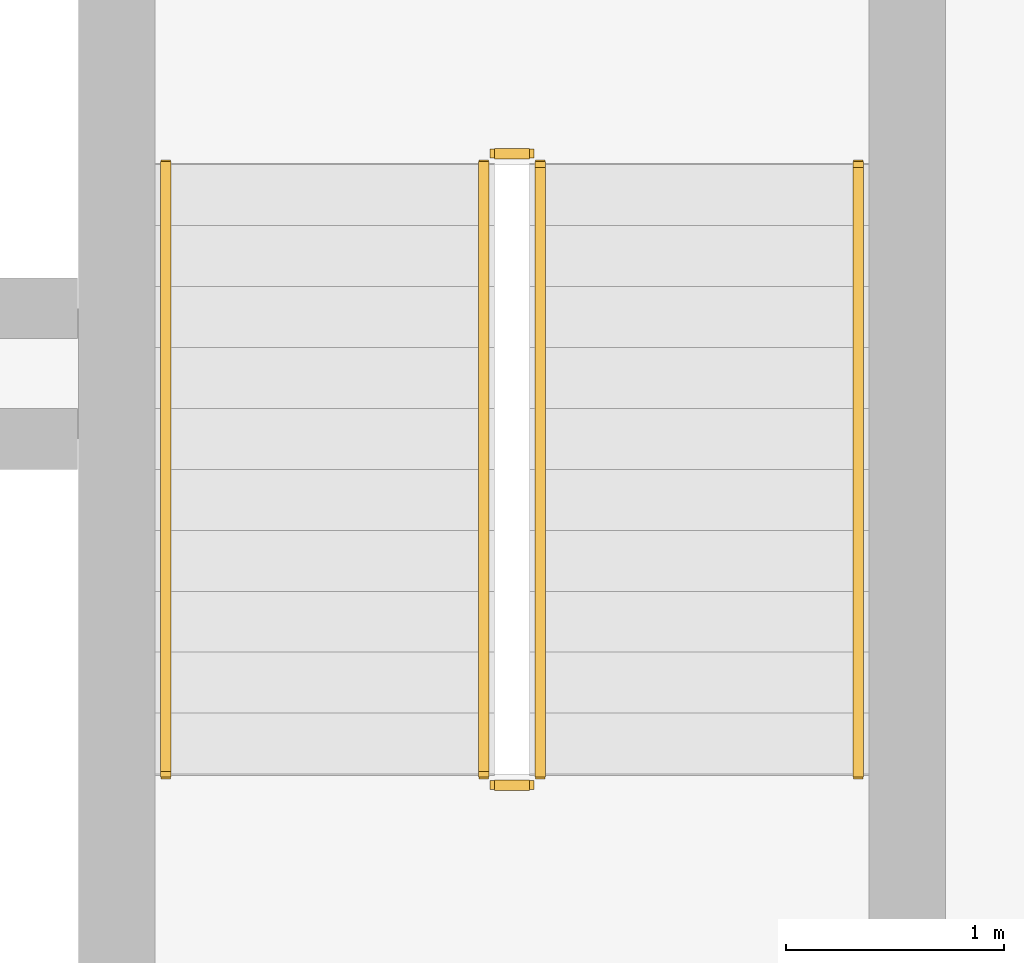
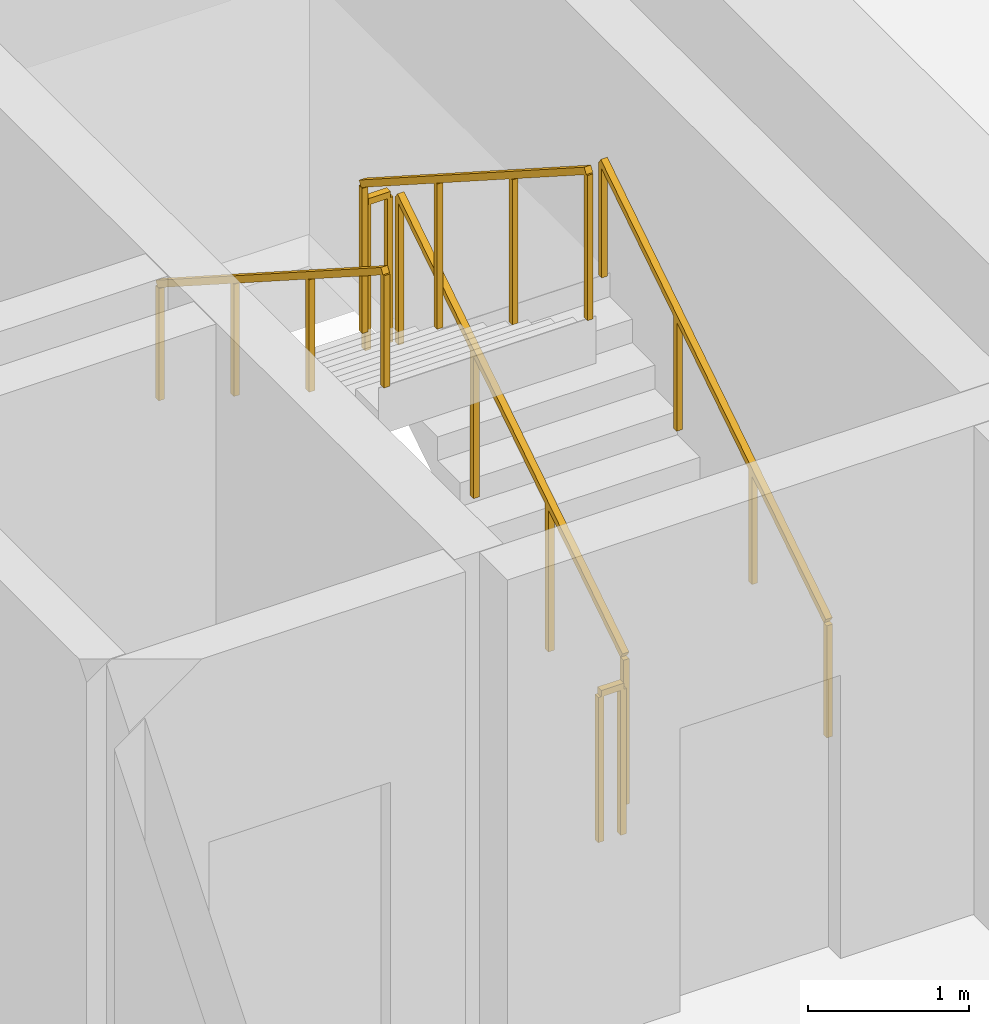
# One storey, part 11 of 11: 6 railings.
"""IFC4 building model written with IfcOpenShell, lengths in metres."""

from ifc_helpers import new_model, si_unit, direction, frame, origin, origin_2d, place, context, subcontext, project, spatial, rectangle, extrude, material, type_object, element, save


model = new_model("IFC4")

# Units and contexts
model_context = context("Model", 3, precision=1e-05, world=origin(), true_north=direction((0.0, 1.0)))
body_context = subcontext(model_context, "Body", "Model", "MODEL_VIEW")
ifc_project = project(units=[si_unit("LENGTHUNIT", "METRE"), si_unit("AREAUNIT", "SQUARE_METRE"), si_unit("VOLUMEUNIT", "CUBIC_METRE"), si_unit("PLANEANGLEUNIT", "RADIAN"), si_unit("MASSUNIT", "GRAM", prefix="KILO")], contexts=[model_context])

# Site, building, storey
site_placement = place(None, origin())
site = spatial("IfcSite", under=ifc_project, at=site_placement, CompositionType="ELEMENT")
building_placement = place(site_placement, origin())
building = spatial("IfcBuilding", under=site, at=building_placement, Name="Kaelvorn Grand Hotel", CompositionType="ELEMENT")
storey_placement = place(building_placement, frame((0.0, 0.0, 241.0)))
storey = spatial("IfcBuildingStorey", under=building, at=storey_placement, Name="L59", CompositionType="ELEMENT", Elevation=241.0)

# Railings
ifc_material = material(Name="Stainless Steel", Category="steel")
railing_type_1 = type_object("IfcRailingType", Name="RL-HANDRAIL-900", PredefinedType="HANDRAIL", material=ifc_material)
railing_1_placement = place(storey_placement, frame((66.550048828125, 41.760009765625, 0.179443359375)))
element("IfcRailing", 1, at=railing_1_placement, inside=storey, type_object=railing_type_1, Name="L59 ST3 stair handrail 1", PredefinedType="HANDRAIL", context=body_context, shape_type="SweptSolid", body=[
    extrude(rectangle(XDim=0.048095703125, YDim=0.048095703125, at=origin_2d()), frame((0.0, 0.0, 0.8759765625), z_axis=(0.0, 0.841776520102, 0.539826166654), x_axis=(-1.0, 0.0, 0.0)), (0.0, 0.0, 1.0), 3.326416015625),
    extrude(rectangle(XDim=0.0419921875, YDim=0.0419921875, at=origin_2d()), origin(), (0.0, 0.0, 1.0), 0.851806640625),
    extrude(rectangle(XDim=0.0419921875, YDim=0.0419921875, at=origin_2d()), frame((0.0, 0.933349609375, 0.5986328125)), (0.0, 0.0, 1.0), 0.851806640625),
    extrude(rectangle(XDim=0.0419921875, YDim=0.0419921875, at=origin_2d()), frame((0.0, 1.86669921875, 1.197021484375)), (0.0, 0.0, 1.0), 0.851806640625),
    extrude(rectangle(XDim=0.0419921875, YDim=0.0419921875, at=origin_2d()), frame((0.0, 2.800048828125, 1.795654296875)), (0.0, 0.0, 1.0), 0.851806640625),
])
railing_2_placement = place(storey_placement, frame((63.3701171875, 44.56005859375, 2.154541015625)))
element("IfcRailing", 2, at=railing_2_placement, inside=storey, type_object=railing_type_1, Name="L59 ST3 stair handrail 2", PredefinedType="HANDRAIL", context=body_context, shape_type="SweptSolid", body=[
    extrude(rectangle(XDim=0.048095703125, YDim=0.048095703125, at=origin_2d()), frame((0.0, 0.0, 0.8759765625), z_axis=(0.0, -0.841809871826, 0.539774156196), x_axis=(1.0, 0.0, 0.0)), (0.0, 0.0, 1.0), 3.326171875),
    extrude(rectangle(XDim=0.0419921875, YDim=0.0419921875, at=origin_2d()), origin(), (0.0, 0.0, 1.0), 0.851806640625),
    extrude(rectangle(XDim=0.0419921875, YDim=0.0419921875, at=origin_2d()), frame((0.0, -0.933349609375, 0.598388671875)), (0.0, 0.0, 1.0), 0.851806640625),
    extrude(rectangle(XDim=0.0419921875, YDim=0.0419921875, at=origin_2d()), frame((0.0, -1.86669921875, 1.197021484375)), (0.0, 0.0, 1.0), 0.851806640625),
    extrude(rectangle(XDim=0.0419921875, YDim=0.0419921875, at=origin_2d()), frame((0.0, -2.800048828125, 1.79541015625)), (0.0, 0.0, 1.0), 0.851806640625),
])
railing_type_2 = type_object("IfcRailingType", Name="RL-STAIR-GUARD-1150", PredefinedType="BALUSTRADE", material=ifc_material)
railing_3_placement = place(storey_placement, frame((65.090087890625, 41.760009765625, 0.179443359375)))
element("IfcRailing", 3, at=railing_3_placement, inside=storey, type_object=railing_type_2, Name="L59 ST3 stair guard 1", PredefinedType="BALUSTRADE", context=body_context, shape_type="SweptSolid", body=[
    extrude(rectangle(XDim=0.048095703125, YDim=0.048095703125, at=origin_2d()), frame((0.0, 0.0, 1.1259765625), z_axis=(0.0, 0.841776520102, 0.539826166654), x_axis=(-1.0, 0.0, 0.0)), (0.0, 0.0, 1.0), 3.326416015625),
    extrude(rectangle(XDim=0.0419921875, YDim=0.0419921875, at=origin_2d()), origin(), (0.0, 0.0, 1.0), 1.101806640625),
    extrude(rectangle(XDim=0.0419921875, YDim=0.0419921875, at=origin_2d()), frame((0.0, 0.933349609375, 0.5986328125)), (0.0, 0.0, 1.0), 1.101806640625),
    extrude(rectangle(XDim=0.0419921875, YDim=0.0419921875, at=origin_2d()), frame((0.0, 1.86669921875, 1.197021484375)), (0.0, 0.0, 1.0), 1.101806640625),
    extrude(rectangle(XDim=0.0419921875, YDim=0.0419921875, at=origin_2d()), frame((0.0, 2.800048828125, 1.795654296875)), (0.0, 0.0, 1.0), 1.101806640625),
])
railing_4_placement = place(storey_placement, frame((65.0400390625, 44.610107421875, 1.97509765625)))
element("IfcRailing", 4, at=railing_4_placement, inside=storey, type_object=railing_type_2, Name="L59 ST3 stair guard 2", PredefinedType="BALUSTRADE", context=body_context, shape_type="SweptSolid", body=[
    extrude(rectangle(XDim=0.048095703125, YDim=0.048095703125, at=origin_2d()), frame((0.0, 0.0, 1.1259765625), z_axis=(-1.0, 0.0, 0.0), x_axis=(0.0, -1.0, 0.0)), (0.0, 0.0, 1.0), 0.16015625),
    extrude(rectangle(XDim=0.0419921875, YDim=0.0419921875, at=origin_2d()), origin(), (0.0, 0.0, 1.0), 1.101806640625),
    extrude(rectangle(XDim=0.0419921875, YDim=0.0419921875, at=origin_2d()), frame((-0.16015625, 0.0, 0.0)), (0.0, 0.0, 1.0), 1.101806640625),
])
railing_5_placement = place(storey_placement, frame((64.830078125, 44.56005859375, 2.154541015625)))
element("IfcRailing", 5, at=railing_5_placement, inside=storey, type_object=railing_type_2, Name="L59 ST3 stair guard 3", PredefinedType="BALUSTRADE", context=body_context, shape_type="SweptSolid", body=[
    extrude(rectangle(XDim=0.048095703125, YDim=0.048095703125, at=origin_2d()), frame((0.0, 0.0, 1.1259765625), z_axis=(0.0, -0.841809871826, 0.539774156196), x_axis=(1.0, 0.0, 0.0)), (0.0, 0.0, 1.0), 3.326171875),
    extrude(rectangle(XDim=0.0419921875, YDim=0.0419921875, at=origin_2d()), origin(), (0.0, 0.0, 1.0), 1.101806640625),
    extrude(rectangle(XDim=0.0419921875, YDim=0.0419921875, at=origin_2d()), frame((0.0, -0.933349609375, 0.598388671875)), (0.0, 0.0, 1.0), 1.101806640625),
    extrude(rectangle(XDim=0.0419921875, YDim=0.0419921875, at=origin_2d()), frame((0.0, -1.86669921875, 1.197021484375)), (0.0, 0.0, 1.0), 1.101806640625),
    extrude(rectangle(XDim=0.0419921875, YDim=0.0419921875, at=origin_2d()), frame((0.0, -2.800048828125, 1.79541015625)), (0.0, 0.0, 1.0), 1.101806640625),
])
railing_6_placement = place(storey_placement, frame((65.0400390625, 41.7099609375, 0.0)))
element("IfcRailing", 6, at=railing_6_placement, inside=storey, type_object=railing_type_2, Name="L59 ST3 stair guard 4", PredefinedType="BALUSTRADE", context=body_context, shape_type="SweptSolid", body=[
    extrude(rectangle(XDim=0.048095703125, YDim=0.048095703125, at=origin_2d()), frame((0.0, 0.0, 1.1259765625), z_axis=(-1.0, 0.0, 0.0), x_axis=(0.0, -1.0, 0.0)), (0.0, 0.0, 1.0), 0.16015625),
    extrude(rectangle(XDim=0.0419921875, YDim=0.0419921875, at=origin_2d()), origin(), (0.0, 0.0, 1.0), 1.101806640625),
    extrude(rectangle(XDim=0.0419921875, YDim=0.0419921875, at=origin_2d()), frame((-0.16015625, 0.0, 0.0)), (0.0, 0.0, 1.0), 1.101806640625),
])

save(model, "model.ifc")
